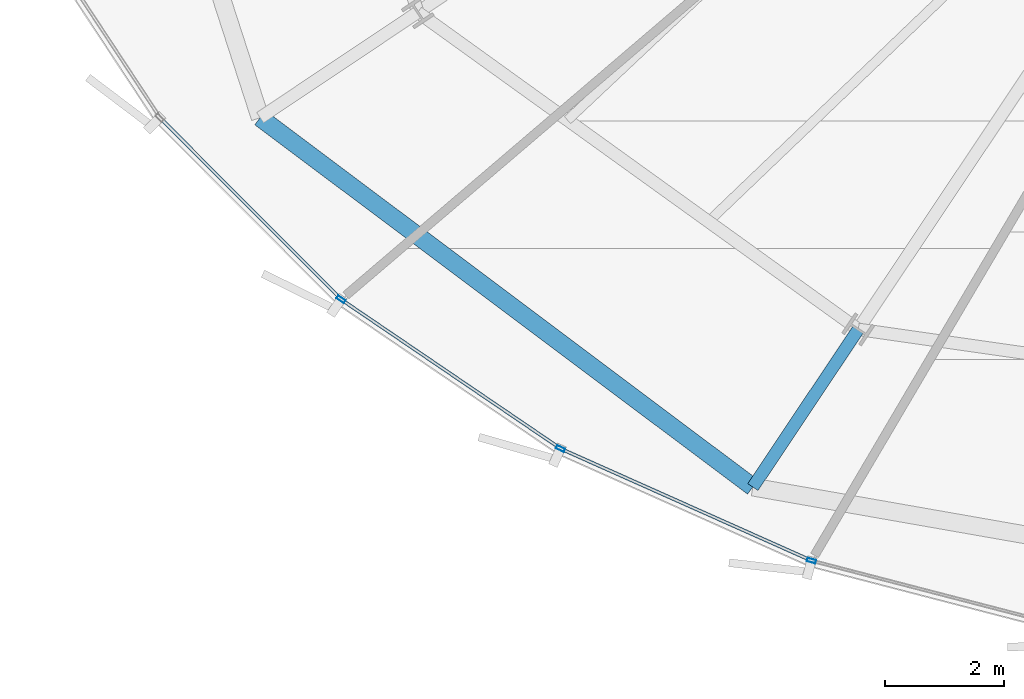
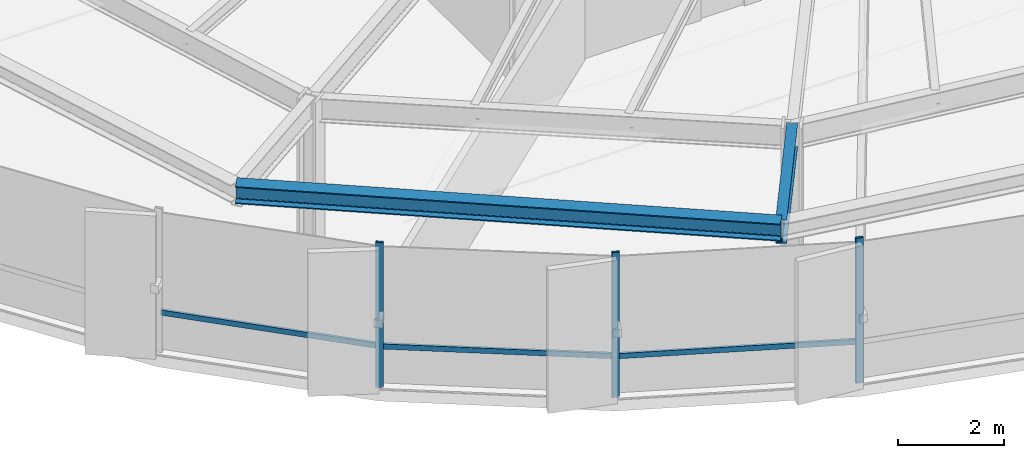
# One storey, part 2 of 35: 6 members, 2 beams, 1 element without a shape of its own.
"""IFC4 building model written with IfcOpenShell, lengths in metres."""

from ifc_helpers import new_model, si_unit, direction, frame, origin, origin_2d, place, context, subcontext, project, spatial, hollow_rectangle, i_section, extrude, source, transform, mapped, material, layer, layer_set, material_profile, profile_set, type_object, element, aggregate, save


model = new_model("IFC4")

# Units and contexts
model_context = context("Model", 3, precision=1e-05, world=origin(), true_north=direction((0.0, 1.0)))
body_context = subcontext(model_context, "Body", "Model", "MODEL_VIEW")
ifc_project = project(units=[si_unit("LENGTHUNIT", "METRE"), si_unit("AREAUNIT", "SQUARE_METRE"), si_unit("VOLUMEUNIT", "CUBIC_METRE"), si_unit("PLANEANGLEUNIT", "RADIAN"), si_unit("MASSUNIT", "GRAM", prefix="KILO"), si_unit("THERMODYNAMICTEMPERATUREUNIT", "KELVIN")], contexts=[model_context])

# Site, building, storey
site_placement = place(None, origin())
site = spatial("IfcSite", under=ifc_project, at=site_placement, CompositionType="ELEMENT")
building_placement = place(site_placement, origin())
building = spatial("IfcBuilding", under=site, at=building_placement, Name="Kethvar Cultural Tower", CompositionType="ELEMENT")
storey_placement = place(building_placement, frame((0.0, 0.0, 96.39990234375)))
storey = spatial("IfcBuildingStorey", under=building, at=storey_placement, Name="L23", CompositionType="ELEMENT", Elevation=96.39990234375)

# Beams
ifc_material_1 = material(Name="Steel S355J2", Category="steel")
ifc_material_profile_1 = material_profile(ifc_material_1, i_section(OverallWidth=0.2099609375, OverallDepth=0.550048828125, WebThickness=0.010986328125, FlangeThickness=0.01708984375, FilletRadius=0.02392578125, at=origin_2d()), Name="Steel S355J2 — IPE550")
ifc_profile_set_1 = profile_set([ifc_material_profile_1], Name="Steel S355J2 — IPE550")
beam_type_1 = type_object("IfcBeamType", Name="BM-IPE550", PredefinedType="BEAM", material=ifc_profile_set_1)
shared_shape_1 = source(origin(), body_context, "Body", "SweptSolid", [
    extrude(i_section(OverallWidth=0.2099609375, OverallDepth=0.550048828125, WebThickness=0.010986328125, FlangeThickness=0.01708984375, FilletRadius=0.02392578125, at=origin_2d()), origin(), (0.0, 0.0, 1.0), 3.199951171875),
])
beam_1_placement = place(storey_placement, frame((34.350830078125, 9.16845703125, 3.072998046875), z_axis=(-0.555580212716, -0.831462943996, 0.0), x_axis=(0.831462943996, -0.555580212716, 0.0)))
element("IfcBeam", 1, at=beam_1_placement, inside=storey, type_object=beam_type_1, Name="L23 Perimeter Cantilever Beam RC-11", PredefinedType="BEAM", context=body_context, shape_type="MappedRepresentation", body=[
    mapped(shared_shape_1, transform((0.0, 0.0, 0.0), scale=1.0)),
])
ifc_material_profile_2 = material_profile(ifc_material_1, i_section(OverallWidth=0.300048828125, OverallDepth=0.39990234375, WebThickness=0.013427734375, FlangeThickness=0.02392578125, FilletRadius=0.027099609375, at=origin_2d()), Name="Steel S355J2 — HEB400")
ifc_profile_set_2 = profile_set([ifc_material_profile_2], Name="Steel S355J2 — HEB400")
beam_type_2 = type_object("IfcBeamType", Name="BM-SP400", PredefinedType="SPANDREL", material=ifc_profile_set_2)
shared_shape_2 = source(origin(), body_context, "Body", "SweptSolid", [
    extrude(i_section(OverallWidth=0.300048828125, OverallDepth=0.39990234375, WebThickness=0.013427734375, FlangeThickness=0.02392578125, FilletRadius=0.027099609375, at=origin_2d()), origin(), (0.0, 0.0, 1.0), 10.38916015625),
])
beam_2_placement = place(storey_placement, frame((24.260009765625, 12.7392578125, 3.148193359375), z_axis=(0.800152249906, -0.599796946449, 0.0), x_axis=(0.599796946449, 0.800152249906, 0.0)))
element("IfcBeam", 2, at=beam_2_placement, inside=storey, type_object=beam_type_2, Name="L23 Perimeter Spandrel Beam SP-10", PredefinedType="SPANDREL", context=body_context, shape_type="MappedRepresentation", body=[
    mapped(shared_shape_2, transform((0.0, 0.0, 0.0), scale=1.0)),
])

# Curtain wall, members
ifc_material_2 = material(Name="Aluminium 6063-T6", Category="aluminium")
ifc_layer = layer(ifc_material_2, 0.179931640625, Name="Aluminium 6063-T6", Category="aluminium")
ifc_layer_set = layer_set([ifc_layer], Name="Aluminium 6063-T6 (180 mm)")
curtain_wall_type = type_object("IfcCurtainWallType", Name="CW-SYS-03-Z2", PredefinedType="NOTDEFINED", material=ifc_layer_set)
curtain_wall_placement = place(storey_placement, origin())
curtain_wall = element("IfcCurtainWall", 3, at=curtain_wall_placement, inside=storey, type_object=curtain_wall_type, Name="L23 Curtain Wall Run 04", PredefinedType="NOTDEFINED")
ifc_material_profile_3 = material_profile(ifc_material_2, hollow_rectangle(XDim=0.06005859375, YDim=0.14990234375, WallThickness=0.0048828125, at=origin_2d()), Name="Aluminium 6063-T6 — RHS150x60x5")
ifc_profile_set_3 = profile_set([ifc_material_profile_3], Name="Aluminium 6063-T6 — RHS150x60x5")
member_type_1 = type_object("IfcMemberType", Name="CW-SYS-03-Z2-MUL", PredefinedType="MULLION", material=ifc_profile_set_3)
shared_shape_3 = source(origin(), body_context, "Body", "SweptSolid", [
    extrude(hollow_rectangle(XDim=0.06005859375, YDim=0.14990234375, WallThickness=0.0048828125, at=origin_2d()), origin(), (0.0, 0.0, 1.0), 3.35009765625),
])
member_1_placement = place(storey_placement, frame((25.6259765625, 9.67333984375, 0.0), z_axis=(0.0, 0.0, 1.0), x_axis=(0.562040071244, 0.827110003758, 0.0)))
member_1 = element("IfcMember", 4, at=member_1_placement, type_object=member_type_1, Name="CW-L23-R04 Mullion 4", PredefinedType="MULLION", context=body_context, shape_type="MappedRepresentation", body=[
    mapped(shared_shape_3, transform((0.0, 0.0, 0.0), scale=1.0)),
])
member_2_placement = place(storey_placement, frame((29.3271484375, 7.15625, 0.0), z_axis=(0.0, 0.0, 1.0), x_axis=(0.407454014479, 0.913225725703, 0.0)))
member_2 = element("IfcMember", 5, at=member_2_placement, type_object=member_type_1, Name="CW-L23-R04 Mullion 5", PredefinedType="MULLION", context=body_context, shape_type="MappedRepresentation", body=[
    mapped(shared_shape_3, transform((0.0, 0.0, 0.0), scale=1.0)),
])
member_3_placement = place(storey_placement, frame((33.560302734375, 5.265869140625, 0.0), z_axis=(0.0, 0.0, 1.0), x_axis=(0.251326136695, 0.967902460486, 0.0)))
member_3 = element("IfcMember", 6, at=member_3_placement, type_object=member_type_1, Name="CW-L23-R04 Mullion 6", PredefinedType="MULLION", context=body_context, shape_type="MappedRepresentation", body=[
    mapped(shared_shape_3, transform((0.0, 0.0, 0.0), scale=1.0)),
])
ifc_material_profile_4 = material_profile(ifc_material_2, hollow_rectangle(XDim=0.054931640625, YDim=0.1201171875, WallThickness=0.00390625, at=origin_2d()), Name="Aluminium 6063-T6 — RHS120x55x4")
ifc_profile_set_4 = profile_set([ifc_material_profile_4], Name="Aluminium 6063-T6 — RHS120x55x4")
member_type_2 = type_object("IfcMemberType", Name="CW-SYS-03-Z2-TRN", PredefinedType="USERDEFINED", material=ifc_profile_set_4)
shared_shape_4 = source(origin(), body_context, "Body", "SweptSolid", [
    extrude(hollow_rectangle(XDim=0.054931640625, YDim=0.1201171875, WallThickness=0.00390625, at=origin_2d()), origin(), (0.0, 0.0, 1.0), 4.56884765625),
])
member_4_placement = place(storey_placement, frame((29.366455078125, 7.138671875, 0.9501953125), z_axis=(0.913226660821, -0.407451918593, 0.0), x_axis=(0.407451918593, 0.913226660821, 0.0)))
member_4 = element("IfcMember", 7, at=member_4_placement, type_object=member_type_2, Name="CW-L23-R04 Transom 5", ObjectType="TRANSOM", PredefinedType="USERDEFINED", context=body_context, shape_type="MappedRepresentation", body=[
    mapped(shared_shape_4, transform((0.0, 0.0, 0.0), scale=1.0)),
])
shared_shape_5 = source(origin(), body_context, "Body", "SweptSolid", [
    extrude(hollow_rectangle(XDim=0.054931640625, YDim=0.1201171875, WallThickness=0.00390625, at=origin_2d()), origin(), (0.0, 0.0, 1.0), 4.265380859375),
])
member_5_placement = place(storey_placement, frame((22.599853515625, 12.709716796875, 0.9501953125), z_axis=(0.706247704526, -0.707964815405, 0.0), x_axis=(0.707964815405, 0.706247704526, 0.0)))
member_5 = element("IfcMember", 8, at=member_5_placement, type_object=member_type_2, Name="CW-L23-R04 Transom 3", ObjectType="TRANSOM", PredefinedType="USERDEFINED", context=body_context, shape_type="MappedRepresentation", body=[
    mapped(shared_shape_5, transform((0.0, 0.0, 0.0), scale=1.0)),
])
shared_shape_6 = source(origin(), body_context, "Body", "SweptSolid", [
    extrude(hollow_rectangle(XDim=0.054931640625, YDim=0.1201171875, WallThickness=0.00390625, at=origin_2d()), origin(), (0.0, 0.0, 1.0), 4.409423828125),
])
member_6_placement = place(storey_placement, frame((25.661865234375, 9.64892578125, 0.9501953125), z_axis=(0.827120054059, -0.562025280725, 0.0), x_axis=(0.562025280725, 0.827120054059, 0.0)))
member_6 = element("IfcMember", 9, at=member_6_placement, type_object=member_type_2, Name="CW-L23-R04 Transom 4", ObjectType="TRANSOM", PredefinedType="USERDEFINED", context=body_context, shape_type="MappedRepresentation", body=[
    mapped(shared_shape_6, transform((0.0, 0.0, 0.0), scale=1.0)),
])
aggregate(curtain_wall, [member_1, member_2, member_3, member_5, member_6, member_4])

save(model, "model.ifc")
